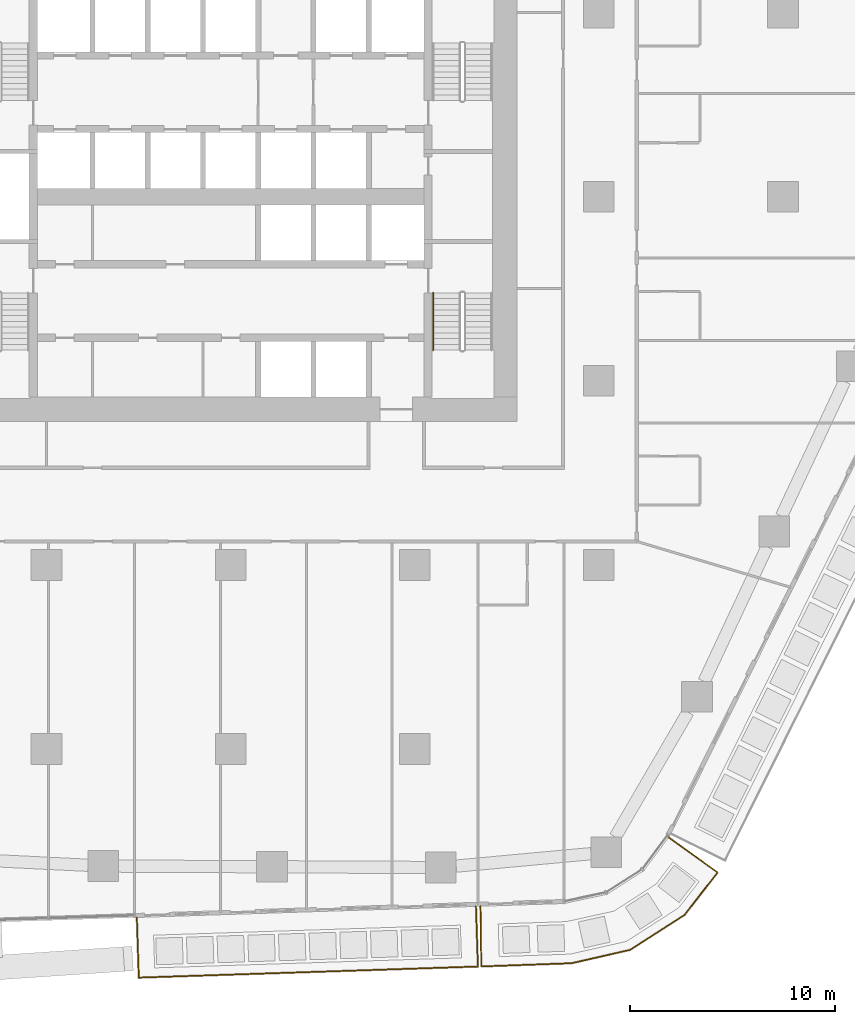
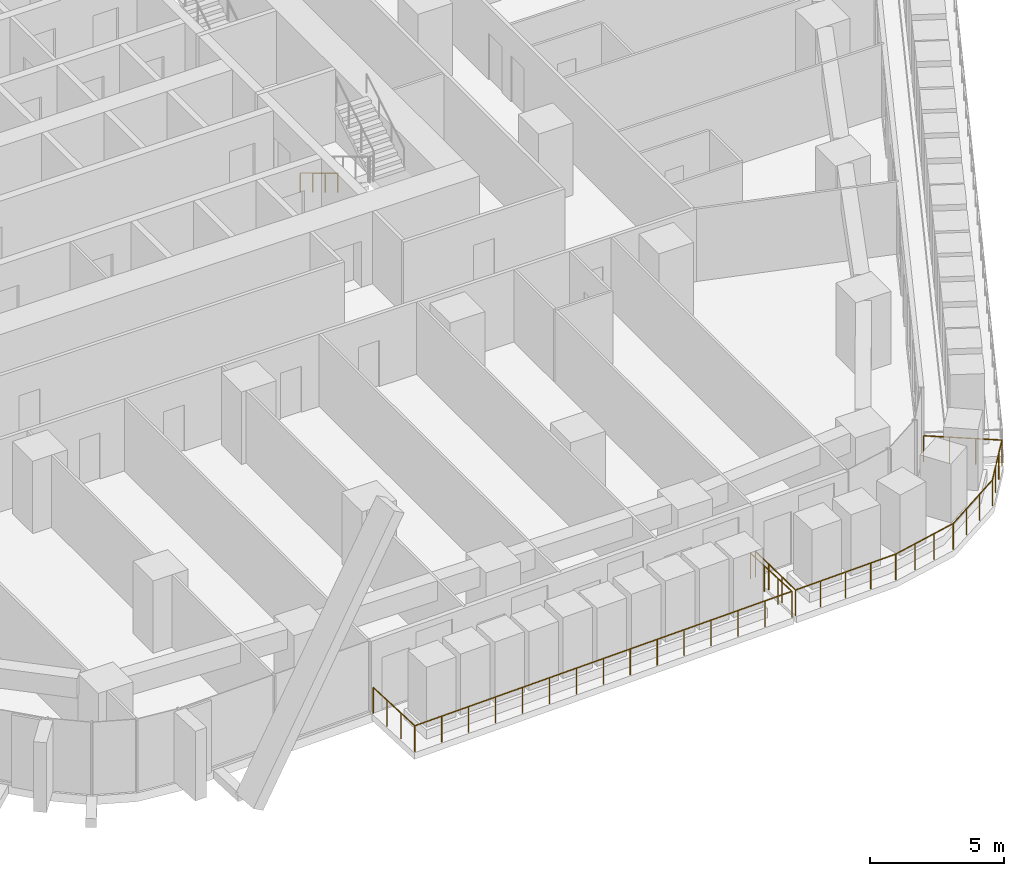
# One storey, part 23 of 27: 3 railings.
"""IFC4 building model written with IfcOpenShell, lengths in metres."""

from ifc_helpers import new_model, si_unit, direction, frame, origin, origin_2d, place, context, subcontext, project, spatial, circle, extrude, material, type_object, element, save


model = new_model("IFC4")

# Units and contexts
model_context = context("Model", 3, precision=1e-05, world=origin(), true_north=direction((0.0, 1.0)))
body_context = subcontext(model_context, "Body", "Model", "MODEL_VIEW")
ifc_project = project(units=[si_unit("LENGTHUNIT", "METRE"), si_unit("AREAUNIT", "SQUARE_METRE"), si_unit("VOLUMEUNIT", "CUBIC_METRE"), si_unit("PLANEANGLEUNIT", "RADIAN"), si_unit("MASSUNIT", "GRAM", prefix="KILO")], contexts=[model_context])

# Site, building, storey
site_placement = place(None, origin())
site = spatial("IfcSite", under=ifc_project, at=site_placement, CompositionType="ELEMENT")
building_placement = place(site_placement, origin())
building = spatial("IfcBuilding", under=site, at=building_placement, Name="Dongbaek Canopy Tower", CompositionType="ELEMENT")
storey_placement = place(building_placement, frame((0.0, 0.0, 62.5)))
storey = spatial("IfcBuildingStorey", under=building, at=storey_placement, Name="L11", CompositionType="ELEMENT", Elevation=62.5)

# Railings
ifc_material_1 = material(Name="Stainless steel", Category="steel")
railing_type_1 = type_object("IfcRailingType", Name="Balcony balustrade 1200", PredefinedType="BALUSTRADE", material=ifc_material_1)
railing_1_placement = place(storey_placement, frame((-4.583251953125, -35.232177734375, 0.0)))
element("IfcRailing", 1, at=railing_1_placement, inside=storey, type_object=railing_type_1, Name="Balcony guard L11 4", PredefinedType="BALUSTRADE", context=body_context, shape_type="SweptSolid", body=[
    extrude(circle(Radius=0.02392578125, at=origin_2d()), frame((0.0, 0.0, 1.17578125), z_axis=(0.032634651689, -0.999467347895, 0.0), x_axis=(0.999467347895, 0.032634651689, 0.0)), (0.0, 0.0, 1.0), 2.93994140625),
    extrude(circle(Radius=0.02392578125, at=origin_2d()), frame((0.095947265625, -2.9384765625, 1.17578125), z_axis=(0.999466777568, 0.032652113837, 0.0), x_axis=(-0.032652113837, 0.999466777568, 0.0)), (0.0, 0.0, 1.0), 16.583984375),
    extrude(circle(Radius=0.02392578125, at=origin_2d()), frame((16.671142578125, -2.39697265625, 1.17578125), z_axis=(-0.032637360446, 0.999467259445, 0.0), x_axis=(-0.999467259445, -0.032637360446, 0.0)), (0.0, 0.0, 1.0), 2.939697265625),
    extrude(circle(Radius=0.02099609375, at=origin_2d()), origin(), (0.0, 0.0, 1.0), 1.15185546875),
    extrude(circle(Radius=0.02099609375, at=origin_2d()), frame((0.031982421875, -0.9794921875, 0.0)), (0.0, 0.0, 1.0), 1.15185546875),
    extrude(circle(Radius=0.02099609375, at=origin_2d()), frame((0.06396484375, -1.958984375, 0.0)), (0.0, 0.0, 1.0), 1.15185546875),
    extrude(circle(Radius=0.02099609375, at=origin_2d()), frame((0.095947265625, -2.9384765625, 0.0)), (0.0, 0.0, 1.0), 1.15185546875),
    extrude(circle(Radius=0.02099609375, at=origin_2d()), frame((1.27978515625, -2.89990234375, 0.0)), (0.0, 0.0, 1.0), 1.15185546875),
    extrude(circle(Radius=0.02099609375, at=origin_2d()), frame((2.4638671875, -2.861083984375, 0.0)), (0.0, 0.0, 1.0), 1.15185546875),
    extrude(circle(Radius=0.02099609375, at=origin_2d()), frame((3.647705078125, -2.822509765625, 0.0)), (0.0, 0.0, 1.0), 1.15185546875),
    extrude(circle(Radius=0.02099609375, at=origin_2d()), frame((4.831787109375, -2.78369140625, 0.0)), (0.0, 0.0, 1.0), 1.15185546875),
    extrude(circle(Radius=0.02099609375, at=origin_2d()), frame((6.015625, -2.7451171875, 0.0)), (0.0, 0.0, 1.0), 1.15185546875),
    extrude(circle(Radius=0.02099609375, at=origin_2d()), frame((7.19970703125, -2.706298828125, 0.0)), (0.0, 0.0, 1.0), 1.15185546875),
    extrude(circle(Radius=0.02099609375, at=origin_2d()), frame((8.383544921875, -2.667724609375, 0.0)), (0.0, 0.0, 1.0), 1.15185546875),
    extrude(circle(Radius=0.02099609375, at=origin_2d()), frame((9.5673828125, -2.629150390625, 0.0)), (0.0, 0.0, 1.0), 1.15185546875),
    extrude(circle(Radius=0.02099609375, at=origin_2d()), frame((10.75146484375, -2.59033203125, 0.0)), (0.0, 0.0, 1.0), 1.15185546875),
    extrude(circle(Radius=0.02099609375, at=origin_2d()), frame((11.935302734375, -2.5517578125, 0.0)), (0.0, 0.0, 1.0), 1.15185546875),
    extrude(circle(Radius=0.02099609375, at=origin_2d()), frame((13.119384765625, -2.512939453125, 0.0)), (0.0, 0.0, 1.0), 1.15185546875),
    extrude(circle(Radius=0.02099609375, at=origin_2d()), frame((14.30322265625, -2.474365234375, 0.0)), (0.0, 0.0, 1.0), 1.15185546875),
    extrude(circle(Radius=0.02099609375, at=origin_2d()), frame((15.4873046875, -2.435546875, 0.0)), (0.0, 0.0, 1.0), 1.15185546875),
    extrude(circle(Radius=0.02099609375, at=origin_2d()), frame((16.671142578125, -2.39697265625, 0.0)), (0.0, 0.0, 1.0), 1.15185546875),
    extrude(circle(Radius=0.02099609375, at=origin_2d()), frame((16.63916015625, -1.41748046875, 0.0)), (0.0, 0.0, 1.0), 1.15185546875),
    extrude(circle(Radius=0.02099609375, at=origin_2d()), frame((16.607177734375, -0.438232421875, 0.0)), (0.0, 0.0, 1.0), 1.15185546875),
    extrude(circle(Radius=0.02099609375, at=origin_2d()), frame((16.5751953125, 0.541259765625, 0.0)), (0.0, 0.0, 1.0), 1.15185546875),
])
railing_2_placement = place(storey_placement, frame((12.2119140625, -34.68359375, 0.0)))
element("IfcRailing", 2, at=railing_2_placement, inside=storey, type_object=railing_type_1, Name="Balcony guard L11 8", PredefinedType="BALUSTRADE", context=body_context, shape_type="SweptSolid", body=[
    extrude(circle(Radius=0.02392578125, at=origin_2d()), frame((0.0, 0.0, 1.17578125), z_axis=(0.012204338432, -0.999925524288, 0.0), x_axis=(0.999925524288, 0.012204338432, 0.0)), (0.0, 0.0, 1.0), 2.940673828125),
    extrude(circle(Radius=0.02392578125, at=origin_2d()), frame((0.035888671875, -2.9404296875, 1.17578125), z_axis=(0.999375333331, 0.035340389485, 0.0), x_axis=(-0.035340389485, 0.999375333331, 0.0)), (0.0, 0.0, 1.0), 4.414306640625),
    extrude(circle(Radius=0.02392578125, at=origin_2d()), frame((4.447509765625, -2.784423828125, 1.17578125), z_axis=(0.974995929729, 0.222222719386, 0.0), x_axis=(-0.222222719386, 0.974995929729, 0.0)), (0.0, 0.0, 1.0), 2.928955078125),
    extrude(circle(Radius=0.02392578125, at=origin_2d()), frame((7.30322265625, -2.133544921875, 1.17578125), z_axis=(0.841499110027, 0.540258500926, 0.0), x_axis=(-0.540258500926, 0.841499110027, 0.0)), (0.0, 0.0, 1.0), 3.18994140625),
    extrude(circle(Radius=0.02392578125, at=origin_2d()), frame((9.987548828125, -0.41015625, 1.17578125), z_axis=(0.612602276133, 0.790391327936, 0.0), x_axis=(-0.790391327936, 0.612602276133, 0.0)), (0.0, 0.0, 1.0), 2.615966796875),
    extrude(circle(Radius=0.02392578125, at=origin_2d()), frame((11.590087890625, 1.657470703125, 1.17578125), z_axis=(-0.813374298496, 0.581740707314, 0.0), x_axis=(-0.581740707314, -0.813374298496, 0.0)), (0.0, 0.0, 1.0), 2.940673828125),
    extrude(circle(Radius=0.02099609375, at=origin_2d()), origin(), (0.0, 0.0, 1.0), 1.15185546875),
    extrude(circle(Radius=0.02099609375, at=origin_2d()), frame((0.011962890625, -0.980224609375, 0.0)), (0.0, 0.0, 1.0), 1.15185546875),
    extrude(circle(Radius=0.02099609375, at=origin_2d()), frame((0.02392578125, -1.960205078125, 0.0)), (0.0, 0.0, 1.0), 1.15185546875),
    extrude(circle(Radius=0.02099609375, at=origin_2d()), frame((0.035888671875, -2.9404296875, 0.0)), (0.0, 0.0, 1.0), 1.15185546875),
    extrude(circle(Radius=0.02099609375, at=origin_2d()), frame((1.138671875, -2.9013671875, 0.0)), (0.0, 0.0, 1.0), 1.15185546875),
    extrude(circle(Radius=0.02099609375, at=origin_2d()), frame((2.24169921875, -2.8623046875, 0.0)), (0.0, 0.0, 1.0), 1.15185546875),
    extrude(circle(Radius=0.02099609375, at=origin_2d()), frame((3.3447265625, -2.823486328125, 0.0)), (0.0, 0.0, 1.0), 1.15185546875),
    extrude(circle(Radius=0.02099609375, at=origin_2d()), frame((4.447509765625, -2.784423828125, 0.0)), (0.0, 0.0, 1.0), 1.15185546875),
    extrude(circle(Radius=0.02099609375, at=origin_2d()), frame((5.3994140625, -2.5673828125, 0.0)), (0.0, 0.0, 1.0), 1.15185546875),
    extrude(circle(Radius=0.02099609375, at=origin_2d()), frame((6.351318359375, -2.3505859375, 0.0)), (0.0, 0.0, 1.0), 1.15185546875),
    extrude(circle(Radius=0.02099609375, at=origin_2d()), frame((7.30322265625, -2.133544921875, 0.0)), (0.0, 0.0, 1.0), 1.15185546875),
    extrude(circle(Radius=0.02099609375, at=origin_2d()), frame((8.197998046875, -1.55908203125, 0.0)), (0.0, 0.0, 1.0), 1.15185546875),
    extrude(circle(Radius=0.02099609375, at=origin_2d()), frame((9.0927734375, -0.984619140625, 0.0)), (0.0, 0.0, 1.0), 1.15185546875),
    extrude(circle(Radius=0.02099609375, at=origin_2d()), frame((9.987548828125, -0.41015625, 0.0)), (0.0, 0.0, 1.0), 1.15185546875),
    extrude(circle(Radius=0.02099609375, at=origin_2d()), frame((10.521728515625, 0.279052734375, 0.0)), (0.0, 0.0, 1.0), 1.15185546875),
    extrude(circle(Radius=0.02099609375, at=origin_2d()), frame((11.055908203125, 0.96826171875, 0.0)), (0.0, 0.0, 1.0), 1.15185546875),
    extrude(circle(Radius=0.02099609375, at=origin_2d()), frame((11.590087890625, 1.657470703125, 0.0)), (0.0, 0.0, 1.0), 1.15185546875),
    extrude(circle(Radius=0.02099609375, at=origin_2d()), frame((10.792724609375, 2.227783203125, 0.0)), (0.0, 0.0, 1.0), 1.15185546875),
    extrude(circle(Radius=0.02099609375, at=origin_2d()), frame((9.99560546875, 2.7978515625, 0.0)), (0.0, 0.0, 1.0), 1.15185546875),
    extrude(circle(Radius=0.02099609375, at=origin_2d()), frame((9.1982421875, 3.3681640625, 0.0)), (0.0, 0.0, 1.0), 1.15185546875),
])
ifc_material_2 = material(Name="Stainless steel tube", Category="steel")
railing_type_2 = type_object("IfcRailingType", Name="Stair handrail 900", PredefinedType="HANDRAIL", material=ifc_material_2)
railing_3_placement = place(storey_placement, frame((9.89990234375, -4.699951171875, 0.168212890625)))
element("IfcRailing", 3, at=railing_3_placement, inside=storey, type_object=railing_type_2, Name="L11 ST-B stair handrail 1", PredefinedType="HANDRAIL", context=body_context, shape_type="SweptSolid", body=[
    extrude(circle(Radius=0.02392578125, at=origin_2d()), frame((0.0, 0.0, 0.8759765625), z_axis=(0.0, -0.857242210791, 0.514913383045), x_axis=(1.0, 0.0, 0.0)), (0.0, 0.0, 1.0), 3.266357421875),
    extrude(circle(Radius=0.02099609375, at=origin_2d()), origin(), (0.0, 0.0, 1.0), 0.851806640625),
    extrude(circle(Radius=0.02099609375, at=origin_2d()), frame((0.0, -0.933349609375, 0.560546875)), (0.0, 0.0, 1.0), 0.851806640625),
    extrude(circle(Radius=0.02099609375, at=origin_2d()), frame((0.0, -1.86669921875, 1.121337890625)), (0.0, 0.0, 1.0), 0.851806640625),
    extrude(circle(Radius=0.02099609375, at=origin_2d()), frame((0.0, -2.800048828125, 1.681884765625)), (0.0, 0.0, 1.0), 0.851806640625),
])

save(model, "model.ifc")
